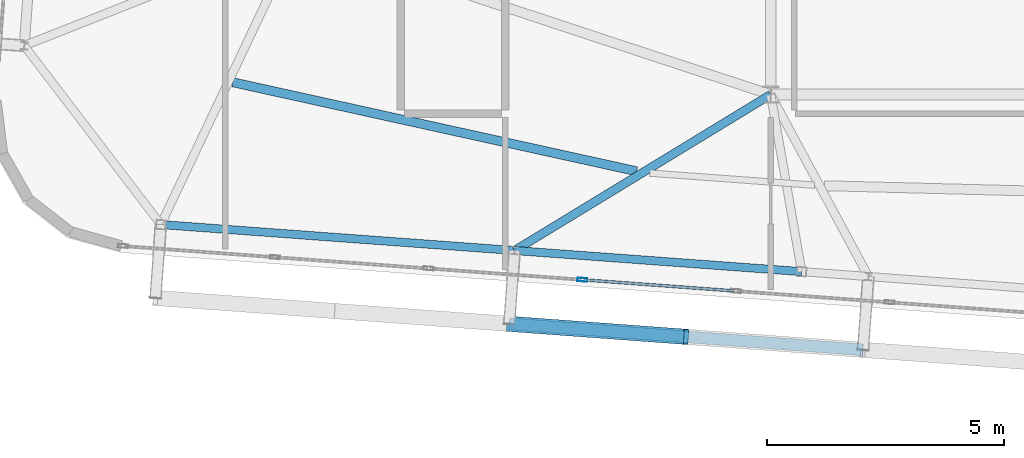
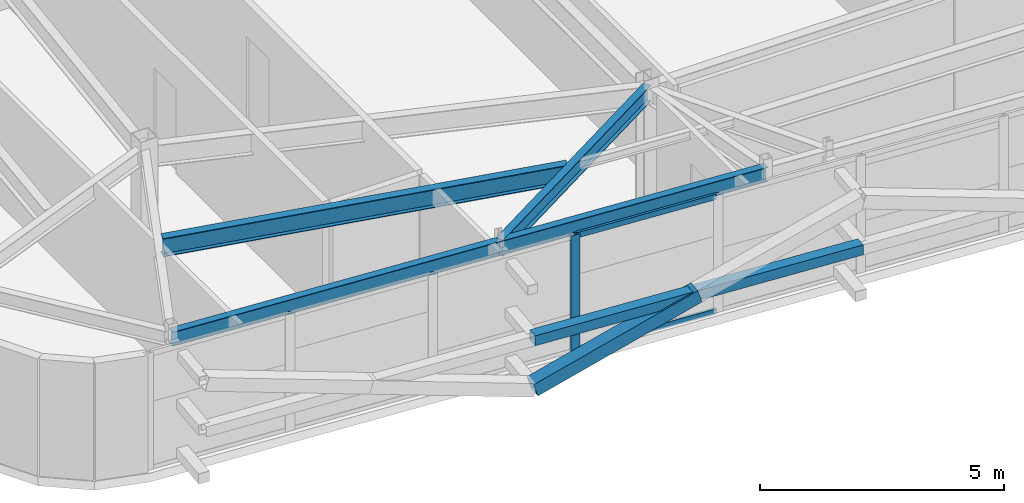
# One storey, part 10 of 42: 5 members, 4 beams, 1 element without a shape of its own.
"""IFC4 building model written with IfcOpenShell, lengths in metres."""

import ifcopenshell
import ifcopenshell.guid

model = None  # the IFC model being written
_history = None  # IfcOwnerHistory: only IFC2X3 demands one
_inside = {}  # id of a spatial element -> (the spatial element, [elements in it])
_under = {}  # id of a project, library or spatial element -> (it, [spatial elements below it])
_declared = {}  # id of a project -> (the project, [libraries it declares])
_typed = {}  # id of a type object -> (the type object, [elements of that type])
_made_of = {}  # id of a material, layer set ... -> (it, [elements and type objects made of it])


def new_model(schema):
    """Start an empty IFC model of exactly this schema.

    Asked for "IFC4X3", IfcOpenShell would pick the latest addendum, in which some entities
    have other attributes; the version numbers below select the first issue.
    IFC2X3 requires an IfcOwnerHistory on every rooted entity: one is made here for all.
    """
    global model, _history
    if schema == "IFC4X3":
        model = ifcopenshell.file(schema_version=(4, 3, 0, 0))
    else:
        model = ifcopenshell.file(schema=schema)
    _inside.clear()
    _under.clear()
    _declared.clear()
    _typed.clear()
    _made_of.clear()
    _history = None
    if model.schema == "IFC2X3":
        org = make("IfcOrganization", Name="unknown")
        user = make(
            "IfcPersonAndOrganization",
            ThePerson=make("IfcPerson", FamilyName="unknown"),
            TheOrganization=org,
        )
        app = make(
            "IfcApplication",
            ApplicationDeveloper=org,
            Version="unknown",
            ApplicationFullName="unknown",
            ApplicationIdentifier="unknown",
        )
        _history = make(
            "IfcOwnerHistory",
            OwningUser=user,
            OwningApplication=app,
            ChangeAction="ADDED",
            CreationDate=0,
        )
    return model


def make(cls, **values):
    """One entity of the class cls with the attributes given. An attribute that is None is left unset."""
    return model.create_entity(
        cls, **{name: value for name, value in values.items() if value is not None}
    )


def rooted(cls, **values):
    """An entity with a GlobalId (a new one), such as an element, a storey or a relation."""
    return make(cls, GlobalId=ifcopenshell.guid.new(), OwnerHistory=_history, **values)


def si_unit(unit_type, name, prefix=None):
    """IfcSIUnit, for example si_unit("LENGTHUNIT", "METRE", prefix="MILLI")."""
    return make("IfcSIUnit", UnitType=unit_type, Prefix=prefix, Name=name)


def assignment(units):
    """IfcUnitAssignment: the units of a project."""
    return None if units is None else make("IfcUnitAssignment", Units=units)


def point(xyz):
    """IfcCartesianPoint."""
    return None if xyz is None else make("IfcCartesianPoint", Coordinates=xyz)


def direction(xyz):
    """IfcDirection."""
    return None if xyz is None else make("IfcDirection", DirectionRatios=xyz)


def frame(location, z_axis=None, x_axis=None):
    """IfcAxis2Placement3D, a coordinate frame: its origin and axes. An axis left out is left unset."""
    return make(
        "IfcAxis2Placement3D",
        Location=point(location),
        Axis=direction(z_axis),
        RefDirection=direction(x_axis),
    )


def frame_2d(location, x_axis=None):
    """IfcAxis2Placement2D, a coordinate frame in the plane: its origin and x axis."""
    return make(
        "IfcAxis2Placement2D", Location=point(location), RefDirection=direction(x_axis)
    )


def origin():
    """The frame at (0, 0, 0) with its axes left unset."""
    return frame((0.0, 0.0, 0.0))


def origin_2d():
    """The frame at (0, 0) in the plane with its x axis left unset."""
    return frame_2d((0.0, 0.0))


def place(relative_to, where):
    """IfcLocalPlacement: puts the frame where relative to a parent placement (None: the world)."""
    return make(
        "IfcLocalPlacement", PlacementRelTo=relative_to, RelativePlacement=where
    )


def context(
    kind, dimensions, precision=None, world=None, true_north=None, identifier=None
):
    """IfcGeometricRepresentationContext, for example the 3D "Model" context."""
    return make(
        "IfcGeometricRepresentationContext",
        ContextIdentifier=identifier,
        ContextType=kind,
        CoordinateSpaceDimension=dimensions,
        Precision=precision,
        WorldCoordinateSystem=world,
        TrueNorth=true_north,
    )


def subcontext(parent, identifier, kind, view, scale=None):
    """IfcGeometricRepresentationSubContext, for example "Body" below "Model"."""
    return make(
        "IfcGeometricRepresentationSubContext",
        ContextIdentifier=identifier,
        ContextType=kind,
        ParentContext=parent,
        TargetScale=scale,
        TargetView=view,
    )


def project(units=None, contexts=None):
    """IfcProject with its units and contexts."""
    return rooted(
        "IfcProject",
        Name="project",
        RepresentationContexts=contexts,
        UnitsInContext=assignment(units),
    )


def spatial(cls, under=None, at=None, **own):
    """A site, building, storey or space (cls), placed at a placement, below another one or the project."""
    s = rooted(cls, ObjectPlacement=at, **own)
    if under is not None:
        _under.setdefault(under.id(), (under, []))[1].append(s)
    return s


def profile(cls, at=None, kind="AREA", **sizes):
    """A parametric profile (cls). Its sizes go by their IFC names, for example OverallWidth=200.0."""
    return make(cls, ProfileType=kind, Position=at, **sizes)


def hollow_rectangle(**sizes):
    """IfcRectangleHollowProfileDef."""
    return profile("IfcRectangleHollowProfileDef", **sizes)


def i_section(**sizes):
    """IfcIShapeProfileDef."""
    return profile("IfcIShapeProfileDef", **sizes)


def extrude(swept, where, along, depth):
    """IfcExtrudedAreaSolid: the profile swept, set in the frame where, extruded along a direction by depth."""
    return make(
        "IfcExtrudedAreaSolid",
        SweptArea=swept,
        Position=where,
        ExtrudedDirection=direction(along),
        Depth=depth,
    )


def shape(context_of_items, identifier, shape_type, items):
    """IfcShapeRepresentation: the items that make up one representation, for example the "Body"."""
    return make(
        "IfcShapeRepresentation",
        ContextOfItems=context_of_items,
        RepresentationIdentifier=identifier,
        RepresentationType=shape_type,
        Items=items,
    )


def source(mapping_origin, context_of_items, identifier, shape_type, items):
    """IfcRepresentationMap: a shape defined once, which mapped items show again and again."""
    return make(
        "IfcRepresentationMap",
        MappingOrigin=mapping_origin,
        MappedRepresentation=shape(context_of_items, identifier, shape_type, items),
    )


def transform(
    local_origin,
    x_axis=None,
    y_axis=None,
    z_axis=None,
    scale=None,
    scale2=None,
    scale3=None,
    uniform=True,
):
    """IfcCartesianTransformationOperator3D, or its non-uniform kind. x_axis, y_axis, z_axis: its Axis1, 2, 3."""
    if uniform:
        return make(
            "IfcCartesianTransformationOperator3D",
            Axis1=direction(x_axis),
            Axis2=direction(y_axis),
            LocalOrigin=point(local_origin),
            Scale=scale,
            Axis3=direction(z_axis),
        )
    return make(
        "IfcCartesianTransformationOperator3DnonUniform",
        Axis1=direction(x_axis),
        Axis2=direction(y_axis),
        LocalOrigin=point(local_origin),
        Scale=scale,
        Axis3=direction(z_axis),
        Scale2=scale2,
        Scale3=scale3,
    )


def mapped(mapping_source, mapping_target):
    """IfcMappedItem: shows the shape of a source again, moved by a transform."""
    return make(
        "IfcMappedItem", MappingSource=mapping_source, MappingTarget=mapping_target
    )


def material(Name=None, Category=None):
    """IfcMaterial."""
    return make("IfcMaterial", Name=Name, Category=Category)


def layer(
    of_material, thickness, ventilated=None, Name=None, Category=None, Priority=None
):
    """IfcMaterialLayer: one layer of a wall or slab, of a material (None: an air gap)."""
    return make(
        "IfcMaterialLayer",
        Material=of_material,
        LayerThickness=thickness,
        IsVentilated=ventilated,
        Name=Name,
        Category=Category,
        Priority=Priority,
    )


def layer_set(layers, Name=None):
    """IfcMaterialLayerSet."""
    return make("IfcMaterialLayerSet", MaterialLayers=layers, LayerSetName=Name)


def material_profile(
    of_material, cross_section, Name=None, Category=None, Priority=None
):
    """IfcMaterialProfile: a cross section and its material."""
    return make(
        "IfcMaterialProfile",
        Name=Name,
        Material=of_material,
        Profile=cross_section,
        Priority=Priority,
        Category=Category,
    )


def profile_set(profiles, Name=None, composite=None):
    """IfcMaterialProfileSet."""
    return make(
        "IfcMaterialProfileSet",
        Name=Name,
        MaterialProfiles=profiles,
        CompositeProfile=composite,
    )


def made_of(thing, what):
    """Note that an element or type object is made of a material, layer set ...; save() writes the relation."""
    if what is not None:
        _made_of.setdefault(what.id(), (what, []))[1].append(thing)
    return thing


def type_object(cls, material=None, **own):
    """A type object (cls), such as IfcWallType, which elements share."""
    return made_of(rooted(cls, **own), material)


def element(
    cls,
    number,
    at=None,
    inside=None,
    cuts=None,
    type_object=None,
    material=None,
    context=None,
    identifier="Body",
    shape_type=None,
    held_by="IfcProductDefinitionShape",
    body=None,
    shapes=None,
    **own,
):
    """One element of the class cls, such as IfcWall. Its Tag is "e" and its number.

    at: its placement. inside: the storey or other place that contains it. cuts: it is an
    opening in that element (IfcRelVoidsElement). A single representation is given by context,
    identifier, shape_type and body (its items); several are given by shapes. held_by: the class
    of the entity that holds the representations. save() writes the other relations.
    """
    e = rooted(cls, Tag="e%d" % number, ObjectPlacement=at, **own)
    if body is not None:
        shapes = [shape(context, identifier, shape_type, body)]
    if shapes is not None:
        e.Representation = make(held_by, Representations=shapes)
    if inside is not None:
        _inside.setdefault(inside.id(), (inside, []))[1].append(e)
    if cuts is not None:
        rooted(
            "IfcRelVoidsElement", RelatingBuildingElement=cuts, RelatedOpeningElement=e
        )
    if type_object is not None:
        _typed.setdefault(type_object.id(), (type_object, []))[1].append(e)
    return made_of(e, material)


def aggregate(whole, parts):
    """IfcRelAggregates: a whole, such as a stair, and the parts it consists of."""
    return rooted("IfcRelAggregates", RelatingObject=whole, RelatedObjects=parts)


def save(model, path):
    """Write the relations noted so far, then the file.

    IfcRelAggregates (storeys below a building ...), IfcRelContainedInSpatialStructure (elements
    in a storey), IfcRelDefinesByType, IfcRelAssociatesMaterial and IfcRelDeclares: one each for
    every whole, place, type object, material and project.
    """
    for whole, parts in _under.values():
        aggregate(whole, parts)
    for where, things in _inside.values():
        rooted(
            "IfcRelContainedInSpatialStructure",
            RelatedElements=things,
            RelatingStructure=where,
        )
    for kind, things in _typed.values():
        rooted("IfcRelDefinesByType", RelatedObjects=things, RelatingType=kind)
    for what, things in _made_of.values():
        rooted("IfcRelAssociatesMaterial", RelatedObjects=things, RelatingMaterial=what)
    for by, libraries in _declared.values():
        rooted("IfcRelDeclares", RelatingContext=by, RelatedDefinitions=libraries)
    model.write(path)


model = new_model("IFC4")

# Units and contexts
model_context = context("Model", 3, precision=1e-05, world=origin(), true_north=direction((0.0, 1.0)))
body_context = subcontext(model_context, "Body", "Model", "MODEL_VIEW")
ifc_project = project(units=[si_unit("LENGTHUNIT", "METRE"), si_unit("AREAUNIT", "SQUARE_METRE"), si_unit("VOLUMEUNIT", "CUBIC_METRE"), si_unit("PLANEANGLEUNIT", "RADIAN"), si_unit("MASSUNIT", "GRAM", prefix="KILO")], contexts=[model_context])

# Site, building, storey
site_placement = place(None, origin())
site = spatial("IfcSite", under=ifc_project, at=site_placement, CompositionType="ELEMENT")
building_placement = place(site_placement, origin())
building = spatial("IfcBuilding", under=site, at=building_placement, Name="Taldren Reach Tower", CompositionType="ELEMENT")
storey_placement = place(building_placement, frame((0.0, 0.0, 214.550048828125)))
storey = spatial("IfcBuildingStorey", under=building, at=storey_placement, Name="L65", CompositionType="ELEMENT", Elevation=214.550048828125)

# Beams
ifc_material_1 = material(Name="Steel Gr 350 (350PLUS)", Category="steel")
ifc_material_profile_1 = material_profile(ifc_material_1, i_section(OverallWidth=0.172119140625, OverallDepth=0.35888671875, WebThickness=0.008056640625, FlangeThickness=0.012939453125, at=origin_2d()), Name="360UB56.7")
ifc_profile_set_1 = profile_set([ifc_material_profile_1], Name="Steel Gr 350 (350PLUS)")
beam_type_1 = type_object("IfcBeamType", Name="SP-UB360", PredefinedType="SPANDREL", material=ifc_profile_set_1)
shared_shape_1 = source(origin(), body_context, "Body", "SweptSolid", [
    extrude(i_section(OverallWidth=0.172119140625, OverallDepth=0.35888671875, WebThickness=0.008056640625, FlangeThickness=0.012939453125, at=origin_2d()), origin(), (0.0, 0.0, 1.0), 7.47998046875),
])
beam_1_placement = place(storey_placement, frame((15.140625, 6.460205078125, 2.75048828125), z_axis=(0.997314220642, -0.07324169103, 0.0), x_axis=(0.07324169103, 0.997314220642, 0.0)))
element("IfcBeam", 1, at=beam_1_placement, inside=storey, type_object=beam_type_1, Name="Perimeter spandrel B5 S1-S2 L65", PredefinedType="SPANDREL", context=body_context, shape_type="MappedRepresentation", body=[
    mapped(shared_shape_1, transform((0.0, 0.0, 0.0), scale=1.0)),
])
shared_shape_2 = source(origin(), body_context, "Body", "SweptSolid", [
    extrude(i_section(OverallWidth=0.172119140625, OverallDepth=0.35888671875, WebThickness=0.008056640625, FlangeThickness=0.012939453125, at=origin_2d()), origin(), (0.0, 0.0, 1.0), 6.070068359375),
])
beam_2_placement = place(storey_placement, frame((22.6005859375, 5.912353515625, 2.75048828125), z_axis=(0.997314196413, -0.073242020958, 0.0), x_axis=(0.073242020958, 0.997314196413, 0.0)))
element("IfcBeam", 2, at=beam_2_placement, inside=storey, type_object=beam_type_1, Name="Perimeter spandrel B5 S2-PJ1 L65", PredefinedType="SPANDREL", context=body_context, shape_type="MappedRepresentation", body=[
    mapped(shared_shape_2, transform((0.0, 0.0, 0.0), scale=1.0)),
])
ifc_material_profile_2 = material_profile(ifc_material_1, i_section(OverallWidth=0.177978515625, OverallDepth=0.406005859375, WebThickness=0.0078125, FlangeThickness=0.0126953125, at=origin_2d()), Name="410UB59.7")
ifc_profile_set_2 = profile_set([ifc_material_profile_2], Name="Steel Gr 350 (350PLUS)")
beam_type_2 = type_object("IfcBeamType", Name="BM-UB410", PredefinedType="BEAM", material=ifc_profile_set_2)
shared_shape_3 = source(origin(), body_context, "Body", "SweptSolid", [
    extrude(i_section(OverallWidth=0.177978515625, OverallDepth=0.406005859375, WebThickness=0.0078125, FlangeThickness=0.0126953125, at=origin_2d()), origin(), (0.0, 0.0, 1.0), 6.321533203125),
])
beam_3_placement = place(storey_placement, frame((28.0, 9.199951171875, 2.72705078125), z_axis=(-0.854128445192, -0.520062110823, 0.0), x_axis=(0.520062110823, -0.854128445192, 0.0)))
element("IfcBeam", 3, at=beam_3_placement, inside=storey, type_object=beam_type_2, Name="Primary floor girder B5-S2 L65", PredefinedType="BEAM", context=body_context, shape_type="MappedRepresentation", body=[
    mapped(shared_shape_3, transform((0.0, 0.0, 0.0), scale=1.0)),
])
ifc_material_profile_3 = material_profile(ifc_material_1, i_section(OverallWidth=0.19091796875, OverallDepth=0.4599609375, WebThickness=0.010009765625, FlangeThickness=0.01611328125, at=origin_2d()), Name="460UB82.1")
ifc_profile_set_3 = profile_set([ifc_material_profile_3], Name="Steel Gr 350 (350PLUS)")
beam_type_3 = type_object("IfcBeamType", Name="BM-UB460A", PredefinedType="BEAM", material=ifc_profile_set_3)
shared_shape_4 = source(origin(), body_context, "Body", "SweptSolid", [
    extrude(i_section(OverallWidth=0.19091796875, OverallDepth=0.4599609375, WebThickness=0.010009765625, FlangeThickness=0.01611328125, at=origin_2d()), origin(), (0.0, 0.0, 1.0), 8.719482421875),
])
beam_4_placement = place(storey_placement, frame((16.659423828125, 9.46044921875, 2.699951171875), z_axis=(0.976568964704, -0.2152046867, 0.0), x_axis=(0.2152046867, 0.976568964704, 0.0)))
element("IfcBeam", 4, at=beam_4_placement, inside=storey, type_object=beam_type_3, Name="Secondary floor beam B5 J1 L65", PredefinedType="BEAM", context=body_context, shape_type="MappedRepresentation", body=[
    mapped(shared_shape_4, transform((0.0, 0.0, 0.0), scale=1.0)),
])

# Members
ifc_material_2 = material(Name="Steel Gr 450 (C450L0)", Category="steel")
ifc_material_profile_4 = material_profile(ifc_material_2, hollow_rectangle(XDim=0.324951171875, YDim=0.324951171875, WallThickness=0.0126953125, at=origin_2d()), Name="325x325x12.7SHS")
ifc_profile_set_4 = profile_set([ifc_material_profile_4], Name="Steel Gr 450 (C450L0)")
member_type_1 = type_object("IfcMemberType", Name="MB-BR324", PredefinedType="BRACE", material=ifc_profile_set_4)
shared_shape_5 = source(origin(), body_context, "Body", "SweptSolid", [
    extrude(hollow_rectangle(XDim=0.324951171875, YDim=0.324951171875, WallThickness=0.0126953125, at=origin_2d()), origin(), (0.0, 0.0, 1.0), 3.932373046875),
])
member_1_placement = place(storey_placement, frame((22.487060546875, 4.36669921875, 0.219970703125), z_axis=(0.948511132845, -0.069657644394, 0.308989390507), x_axis=(0.07324169103, 0.997314220642, 0.0)))
element("IfcMember", 5, at=member_1_placement, inside=storey, type_object=member_type_1, Name="Exoskeleton Diagrid Brace B5-S2 L65", PredefinedType="BRACE", context=body_context, shape_type="MappedRepresentation", body=[
    mapped(shared_shape_5, transform((0.0, 0.0, 0.0), scale=1.0)),
])
ifc_material_3 = material(Name="Steel Gr 350 (C350L0)", Category="steel")
ifc_material_profile_5 = material_profile(ifc_material_3, hollow_rectangle(XDim=0.25, YDim=0.25, WallThickness=0.010009765625, at=origin_2d()), Name="250x250x10.0SHS")
ifc_profile_set_5 = profile_set([ifc_material_profile_5], Name="Steel Gr 350 (C350L0)")
member_type_2 = type_object("IfcMemberType", Name="MB-POST250", PredefinedType="POST", material=ifc_profile_set_5)
shared_shape_6 = source(origin(), body_context, "Body", "SweptSolid", [
    extrude(hollow_rectangle(XDim=0.25, YDim=0.25, WallThickness=0.010009765625, at=origin_2d()), origin(), (0.0, 0.0, 1.0), 7.47998046875),
])
member_2_placement = place(storey_placement, frame((22.487060546875, 4.36669921875, 1.43505859375), z_axis=(0.997314220642, -0.07324169103, 0.0), x_axis=(0.07324169103, 0.997314220642, 0.0)))
element("IfcMember", 6, at=member_2_placement, inside=storey, type_object=member_type_2, Name="Exoskeleton mid-height ring chord B5-S2 L65", PredefinedType="POST", context=body_context, shape_type="MappedRepresentation", body=[
    mapped(shared_shape_6, transform((0.0, 0.0, 0.0), scale=1.0)),
])

# Curtain wall, members
ifc_material_4 = material(Name="Aluminium and Low-E Glass Unitised System", Category="aluminium")
ifc_layer = layer(ifc_material_4, 0.159912109375)
ifc_layer_set = layer_set([ifc_layer], Name="Aluminium and Low-E Glass Unitised System")
curtain_wall_type = type_object("IfcCurtainWallType", Name="CW-SYS-6", PredefinedType="NOTDEFINED", material=ifc_layer_set)
curtain_wall_placement = place(storey_placement, origin())
curtain_wall = element("IfcCurtainWall", 7, at=curtain_wall_placement, inside=storey, type_object=curtain_wall_type, Name="Unitised curtain wall CW-L65-S", PredefinedType="NOTDEFINED")
ifc_material_5 = material(Name="Anodised Aluminium 6063-T6", Category="aluminium")
ifc_material_profile_6 = material_profile(ifc_material_5, hollow_rectangle(XDim=0.074951171875, YDim=0.2099609375, WallThickness=0.00439453125, at=origin_2d()), Name="ALU-210x75x4.5RHS")
ifc_profile_set_6 = profile_set([ifc_material_profile_6], Name="Anodised Aluminium 6063-T6")
member_type_3 = type_object("IfcMemberType", Name="CW-MUL-200", PredefinedType="MULLION", material=ifc_profile_set_6)
shared_shape_7 = source(origin(), body_context, "Body", "SweptSolid", [
    extrude(hollow_rectangle(XDim=0.074951171875, YDim=0.2099609375, WallThickness=0.00439453125, at=origin_2d()), origin(), (0.0, 0.0, 1.0), 2.929931640625),
])
member_3_placement = place(storey_placement, frame((24.029296875, 5.296142578125, 0.0), z_axis=(0.0, 0.0, 1.0), x_axis=(0.073238213716, 0.997314476006, 0.0)))
member_3 = element("IfcMember", 8, at=member_3_placement, type_object=member_type_3, Name="CW-6 mullion 4", PredefinedType="MULLION", context=body_context, shape_type="MappedRepresentation", body=[
    mapped(shared_shape_7, transform((0.0, 0.0, 0.0), scale=1.0)),
])
ifc_material_profile_7 = material_profile(ifc_material_5, hollow_rectangle(XDim=0.06005859375, YDim=0.135009765625, WallThickness=0.00341796875, at=origin_2d()), Name="ALU-135x60x3.5RHS")
ifc_profile_set_7 = profile_set([ifc_material_profile_7], Name="Anodised Aluminium 6063-T6")
member_type_4 = type_object("IfcMemberType", Name="CW-TRN-150", PredefinedType="USERDEFINED", material=ifc_profile_set_7)
shared_shape_8 = source(origin(), body_context, "Body", "SweptSolid", [
    extrude(hollow_rectangle(XDim=0.06005859375, YDim=0.135009765625, WallThickness=0.00341796875, at=origin_2d()), origin(), (0.0, 0.0, 1.0), 3.175048828125),
])
member_4_placement = place(storey_placement, frame((24.066650390625, 5.29345703125, 0.030029296875), z_axis=(0.997311428111, -0.073279706322, 0.0), x_axis=(0.073279706322, 0.997311428111, 0.0)))
member_4 = element("IfcMember", 9, at=member_4_placement, type_object=member_type_4, Name="CW-6 transom 4.1", ObjectType="TRANSOM", PredefinedType="USERDEFINED", context=body_context, shape_type="MappedRepresentation", body=[
    mapped(shared_shape_8, transform((0.0, 0.0, 0.0), scale=1.0)),
])
member_5_placement = place(storey_placement, frame((24.066650390625, 5.29345703125, 2.89990234375), z_axis=(0.997311428111, -0.073279706322, 0.0), x_axis=(0.073279706322, 0.997311428111, 0.0)))
member_5 = element("IfcMember", 10, at=member_5_placement, type_object=member_type_4, Name="CW-6 transom 4.2", ObjectType="TRANSOM", PredefinedType="USERDEFINED", context=body_context, shape_type="MappedRepresentation", body=[
    mapped(shared_shape_8, transform((0.0, 0.0, 0.0), scale=1.0)),
])
aggregate(curtain_wall, [member_3, member_4, member_5])

save(model, "model.ifc")
